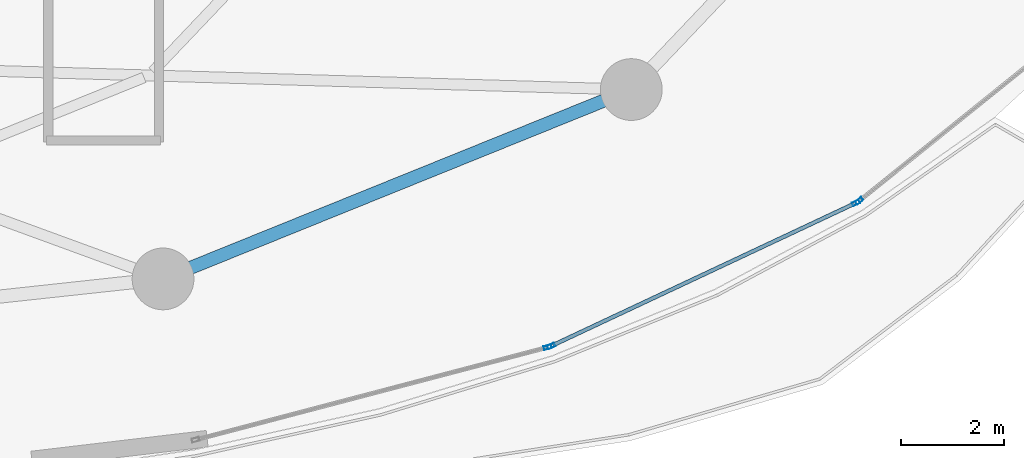
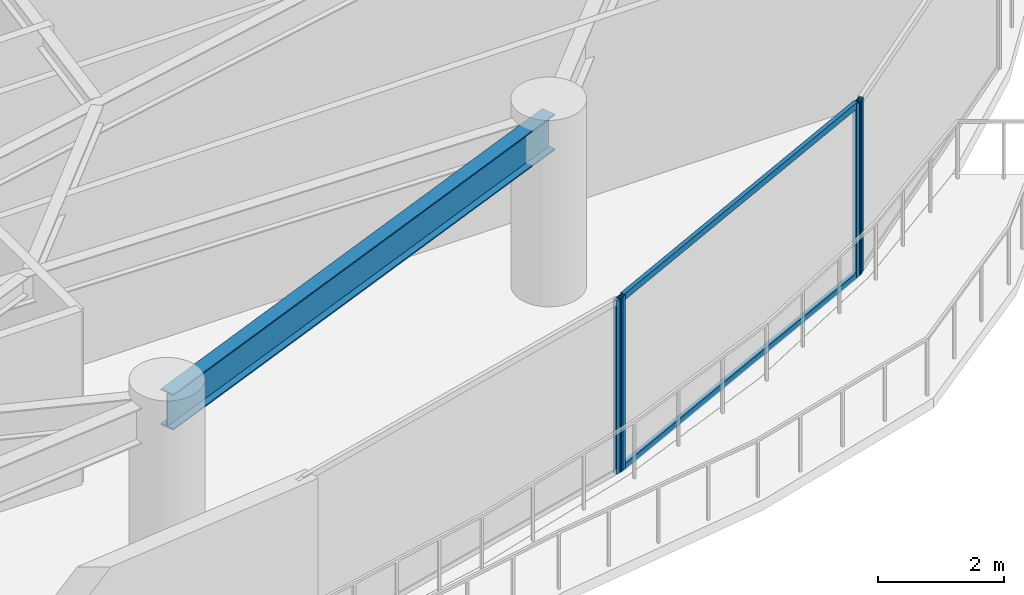
# One storey, part 14 of 34: 6 members, 1 beam, 3 elements without a shape of their own.
"""IFC4 building model written with IfcOpenShell, lengths in metres."""

from ifc_helpers import new_model, si_unit, direction, frame, origin, origin_2d, place, context, subcontext, project, spatial, hollow_rectangle, i_section, extrude, material, layer, layer_set, material_profile, profile_set, type_object, element, aggregate, save


model = new_model("IFC4")

# Units and contexts
model_context = context("Model", 3, precision=1e-05, world=origin(), true_north=direction((0.0, 1.0)))
body_context = subcontext(model_context, "Body", "Model", "MODEL_VIEW")
ifc_project = project(units=[si_unit("LENGTHUNIT", "METRE"), si_unit("AREAUNIT", "SQUARE_METRE"), si_unit("VOLUMEUNIT", "CUBIC_METRE"), si_unit("PLANEANGLEUNIT", "RADIAN"), si_unit("MASSUNIT", "GRAM", prefix="KILO")], contexts=[model_context])

# Site, building, storey
site_placement = place(None, origin())
site = spatial("IfcSite", under=ifc_project, at=site_placement, CompositionType="ELEMENT")
building_placement = place(site_placement, origin())
building = spatial("IfcBuilding", under=site, at=building_placement, Name="Kazevale Care Tower and Concert Hall", CompositionType="ELEMENT")
storey_placement = place(building_placement, frame((0.0, 0.0, 160.199951171875)))
storey = spatial("IfcBuildingStorey", under=building, at=storey_placement, Name="L42", CompositionType="ELEMENT", Elevation=160.199951171875)

# Curtain wall, member
ifc_material_1 = material(Name="Aluminium 6063-T6 and Low-E Glass", Category="aluminium")
ifc_layer = layer(ifc_material_1, 0.179931640625)
ifc_layer_set = layer_set([ifc_layer], Name="Aluminium 6063-T6 and Low-E Glass")
curtain_wall_type = type_object("IfcCurtainWallType", Name="Sheltered Concave Balcony Curtain Wall CW-5", PredefinedType="NOTDEFINED", material=ifc_layer_set)
curtain_wall_1_placement = place(storey_placement, origin())
curtain_wall_1 = element("IfcCurtainWall", 1, at=curtain_wall_1_placement, inside=storey, type_object=curtain_wall_type, Name="cw:L42:f02", PredefinedType="NOTDEFINED")
ifc_material_2 = material(Name="Aluminium 6063-T6", Category="aluminium")
ifc_material_profile_1 = material_profile(ifc_material_2, hollow_rectangle(XDim=0.074951171875, YDim=0.14990234375, WallThickness=0.00390625, at=origin_2d()), Name="ALU75x150x4")
ifc_profile_set_1 = profile_set([ifc_material_profile_1], Name="Aluminium 6063-T6")
member_type_1 = type_object("IfcMemberType", Name="CW-5 Mullion ALU75x150x4", PredefinedType="MULLION", material=ifc_profile_set_1)
member_1_placement = place(storey_placement, frame((69.25927734375, 20.826416015625, 0.0), z_axis=(0.0, 0.0, 1.0), x_axis=(0.626905357502, -0.779095419531, 0.0)))
member_1 = element("IfcMember", 2, at=member_1_placement, type_object=member_type_1, Name="CW-5 mullion 2", PredefinedType="MULLION", context=body_context, shape_type="SweptSolid", body=[
    extrude(hollow_rectangle(XDim=0.074951171875, YDim=0.14990234375, WallThickness=0.00390625, at=origin_2d()), origin(), (0.0, 0.0, 1.0), 3.360107421875),
])
aggregate(curtain_wall_1, [member_1])

# Curtain wall, members
curtain_wall_2_placement = place(storey_placement, origin())
curtain_wall_2 = element("IfcCurtainWall", 3, at=curtain_wall_2_placement, inside=storey, type_object=curtain_wall_type, Name="cw:L42:f03", PredefinedType="NOTDEFINED")
member_2_placement = place(storey_placement, frame((69.196044921875, 20.787109375, 0.0), z_axis=(0.0, 0.0, 1.0), x_axis=(0.425010766963, -0.905188294205, 0.0)))
member_2 = element("IfcMember", 4, at=member_2_placement, type_object=member_type_1, Name="CW-5 mullion 1", PredefinedType="MULLION", context=body_context, shape_type="SweptSolid", body=[
    extrude(hollow_rectangle(XDim=0.074951171875, YDim=0.14990234375, WallThickness=0.00390625, at=origin_2d()), origin(), (0.0, 0.0, 1.0), 3.360107421875),
])
member_3_placement = place(storey_placement, frame((63.27490234375, 18.0068359375, 0.0), z_axis=(0.0, 0.0, 1.0), x_axis=(0.425010766963, -0.905188294205, 0.0)))
member_3 = element("IfcMember", 5, at=member_3_placement, type_object=member_type_1, Name="CW-5 mullion 2", PredefinedType="MULLION", context=body_context, shape_type="SweptSolid", body=[
    extrude(hollow_rectangle(XDim=0.074951171875, YDim=0.14990234375, WallThickness=0.00390625, at=origin_2d()), origin(), (0.0, 0.0, 1.0), 3.360107421875),
])

# Curtain wall, member
curtain_wall_3_placement = place(storey_placement, origin())
curtain_wall_3 = element("IfcCurtainWall", 6, at=curtain_wall_3_placement, inside=storey, type_object=curtain_wall_type, Name="cw:L42:f04", PredefinedType="NOTDEFINED")
member_4_placement = place(storey_placement, frame((63.204833984375, 17.9814453125, 0.0), z_axis=(0.0, 0.0, 1.0), x_axis=(0.254238458229, -0.967141564797, 0.0)))
member_4 = element("IfcMember", 7, at=member_4_placement, type_object=member_type_1, Name="CW-5 mullion 1", PredefinedType="MULLION", context=body_context, shape_type="SweptSolid", body=[
    extrude(hollow_rectangle(XDim=0.074951171875, YDim=0.14990234375, WallThickness=0.00390625, at=origin_2d()), origin(), (0.0, 0.0, 1.0), 3.360107421875),
])
aggregate(curtain_wall_3, [member_4])

# Member
ifc_material_profile_2 = material_profile(ifc_material_2, hollow_rectangle(XDim=0.074951171875, YDim=0.1201171875, WallThickness=0.00390625, at=origin_2d()), Name="ALU75x120x4")
ifc_profile_set_2 = profile_set([ifc_material_profile_2], Name="Aluminium 6063-T6")
member_type_2 = type_object("IfcMemberType", Name="CW-5 Transom ALU75x120x4", PredefinedType="USERDEFINED", material=ifc_profile_set_2)
member_5_placement = place(storey_placement, frame((69.162109375, 20.771240234375, 0.03759765625), z_axis=(-0.90518714704, -0.425013210187, 0.0), x_axis=(0.425013210187, -0.90518714704, 0.0)))
member_5 = element("IfcMember", 8, at=member_5_placement, type_object=member_type_2, Name="CW-5 transom 1.1", ObjectType="TRANSOM", PredefinedType="USERDEFINED", context=body_context, shape_type="SweptSolid", body=[
    extrude(hollow_rectangle(XDim=0.074951171875, YDim=0.1201171875, WallThickness=0.00390625, at=origin_2d()), origin(), (0.0, 0.0, 1.0), 6.46630859375),
])

member_6_placement = place(storey_placement, frame((69.162109375, 20.771240234375, 3.322509765625), z_axis=(-0.90518714704, -0.425013210187, 0.0), x_axis=(0.425013210187, -0.90518714704, 0.0)))
member_6 = element("IfcMember", 9, at=member_6_placement, type_object=member_type_2, Name="CW-5 transom 1.2", ObjectType="TRANSOM", PredefinedType="USERDEFINED", context=body_context, shape_type="SweptSolid", body=[
    extrude(hollow_rectangle(XDim=0.074951171875, YDim=0.1201171875, WallThickness=0.00390625, at=origin_2d()), origin(), (0.0, 0.0, 1.0), 6.46630859375),
])

aggregate(curtain_wall_2, [member_2, member_3, member_5, member_6])

# Beam
ifc_material_3 = material(Name="Steel ASTM A572 Gr 50", Category="steel")
ifc_material_profile_3 = material_profile(ifc_material_3, i_section(OverallWidth=0.256103515625, OverallDepth=0.693115234375, WebThickness=0.014404296875, FlangeThickness=0.023681640625, at=origin_2d()), Name="W690x170")
ifc_profile_set_3 = profile_set([ifc_material_profile_3], Name="Steel ASTM A572 Gr 50")
beam_type = type_object("IfcBeamType", Name="Waist Ring Beam W690x170", PredefinedType="BEAM", material=ifc_profile_set_3)
beam_placement = place(storey_placement, frame((55.72998046875, 19.31005859375, 3.013427734375), z_axis=(0.927068687828, 0.374891515041, 0.0), x_axis=(-0.374891515041, 0.927068687828, 0.0)))
element("IfcBeam", 10, at=beam_placement, inside=storey, type_object=beam_type, Name="beam:L42:ring:14", PredefinedType="BEAM", context=body_context, shape_type="SweptSolid", body=[
    extrude(i_section(OverallWidth=0.256103515625, OverallDepth=0.693115234375, WebThickness=0.014404296875, FlangeThickness=0.023681640625, at=origin_2d()), origin(), (0.0, 0.0, 1.0), 9.81591796875),
])

save(model, "model.ifc")
